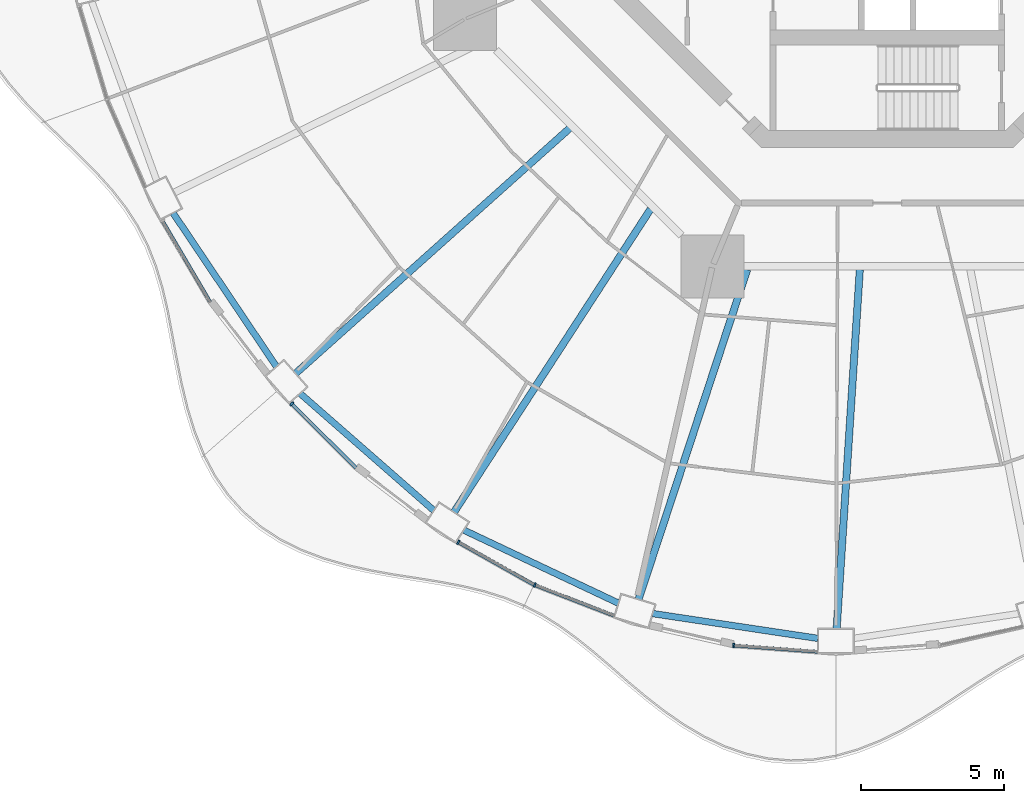
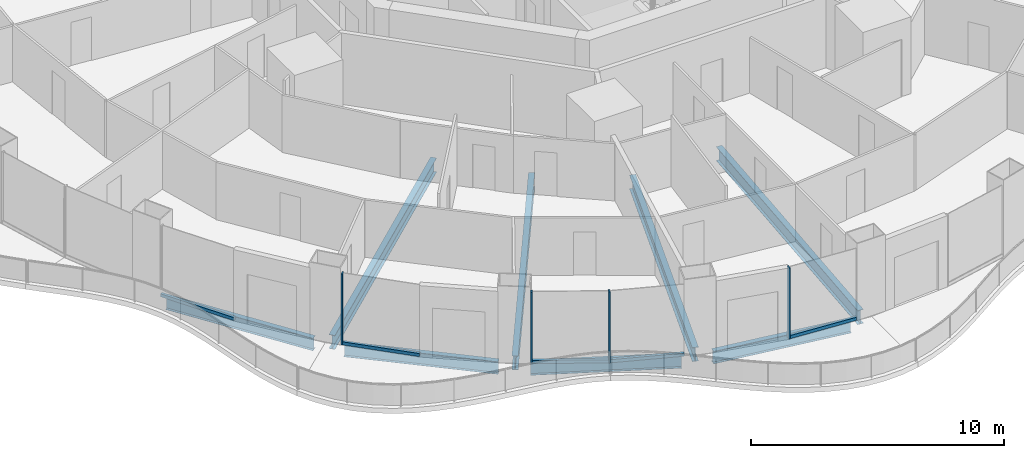
# One storey, part 2 of 22: 9 members, 8 beams, 5 elements without a shape of their own.
"""IFC4 building model written with IfcOpenShell, lengths in metres."""

from ifc_helpers import new_model, si_unit, direction, frame, origin, origin_2d, place, context, subcontext, project, spatial, rectangle, i_section, extrude, material, layer, layer_set, material_profile, profile_set, type_object, element, aggregate, save


model = new_model("IFC4")

# Units and contexts
model_context = context("Model", 3, precision=1e-05, world=origin(), true_north=direction((0.0, 1.0)))
body_context = subcontext(model_context, "Body", "Model", "MODEL_VIEW")
ifc_project = project(units=[si_unit("LENGTHUNIT", "METRE"), si_unit("AREAUNIT", "SQUARE_METRE"), si_unit("VOLUMEUNIT", "CUBIC_METRE"), si_unit("PLANEANGLEUNIT", "RADIAN"), si_unit("MASSUNIT", "GRAM", prefix="KILO")], contexts=[model_context])

# Site, building, storey
site_placement = place(None, origin())
site = spatial("IfcSite", under=ifc_project, at=site_placement, CompositionType="ELEMENT")
building_placement = place(site_placement, origin())
building = spatial("IfcBuilding", under=site, at=building_placement, Name="Nagisa Residences", CompositionType="ELEMENT")
storey_placement = place(building_placement, frame((0.0, 0.0, 77.0)))
storey = spatial("IfcBuildingStorey", under=building, at=storey_placement, Name="L18", CompositionType="ELEMENT", Elevation=77.0)

# Curtain wall, member
ifc_material_1 = material(Name="Concrete-coloured aluminium curtain wall system", Category="concrete")
ifc_layer = layer(ifc_material_1, 0.159912109375)
ifc_layer_set = layer_set([ifc_layer], Name="CW1 CURTAIN WALL")
curtain_wall_type = type_object("IfcCurtainWallType", Name="CW1 CURTAIN WALL", PredefinedType="NOTDEFINED", material=ifc_layer_set)
curtain_wall_1_placement = place(storey_placement, origin())
curtain_wall_1 = element("IfcCurtainWall", 1, at=curtain_wall_1_placement, inside=storey, type_object=curtain_wall_type, Name="cw:CW1:L18:30", PredefinedType="NOTDEFINED")
ifc_material_2 = material(Name="Concrete-coloured aluminium", Category="concrete")
ifc_material_profile_1 = material_profile(ifc_material_2, rectangle(XDim=0.159912109375, YDim=0.06005859375, at=origin_2d()), Name="CW1 MULLION 160x60")
ifc_profile_set_1 = profile_set([ifc_material_profile_1], Name="Concrete-coloured aluminium")
member_type_1 = type_object("IfcMemberType", Name="CW1 MULLION 160x60", PredefinedType="MULLION", material=ifc_profile_set_1)
member_1_placement = place(storey_placement, frame((-20.845458984375, -19.590576171875, 0.0), z_axis=(0.0, 0.0, 1.0), x_axis=(0.706376885714, 0.707835924016, 0.0)))
member_1 = element("IfcMember", 2, at=member_1_placement, type_object=member_type_1, Name="CW1 mullion", PredefinedType="MULLION", context=body_context, shape_type="SweptSolid", body=[
    extrude(rectangle(XDim=0.159912109375, YDim=0.06005859375, at=origin_2d()), origin(), (0.0, 0.0, 1.0), 3.43994140625),
])

curtain_wall_2_placement = place(storey_placement, origin())
curtain_wall_2 = element("IfcCurtainWall", 3, at=curtain_wall_2_placement, inside=storey, type_object=curtain_wall_type, Name="cw:CW1:L18:32", PredefinedType="NOTDEFINED")
member_2_placement = place(storey_placement, frame((-15.015380859375, -24.43798828125, 0.0), z_axis=(0.0, 0.0, 1.0), x_axis=(0.489376918501, 0.872072377523, 0.0)))
member_2 = element("IfcMember", 4, at=member_2_placement, type_object=member_type_1, Name="CW1 mullion", PredefinedType="MULLION", context=body_context, shape_type="SweptSolid", body=[
    extrude(rectangle(XDim=0.159912109375, YDim=0.06005859375, at=origin_2d()), origin(), (0.0, 0.0, 1.0), 3.43994140625),
])

curtain_wall_3_placement = place(storey_placement, origin())
curtain_wall_3 = element("IfcCurtainWall", 5, at=curtain_wall_3_placement, inside=storey, type_object=curtain_wall_type, Name="cw:CW1:L18:33", PredefinedType="NOTDEFINED")
member_3_placement = place(storey_placement, frame((-12.341552734375, -25.9345703125, 0.0), z_axis=(0.0, 0.0, 1.0), x_axis=(0.360327770268, 0.932825759707, 0.0)))
member_3 = element("IfcMember", 6, at=member_3_placement, type_object=member_type_1, Name="CW1 mullion", PredefinedType="MULLION", context=body_context, shape_type="SweptSolid", body=[
    extrude(rectangle(XDim=0.159912109375, YDim=0.06005859375, at=origin_2d()), origin(), (0.0, 0.0, 1.0), 3.43994140625),
])

curtain_wall_4_placement = place(storey_placement, origin())
curtain_wall_4 = element("IfcCurtainWall", 7, at=curtain_wall_4_placement, inside=storey, type_object=curtain_wall_type, Name="cw:CW1:L18:35", PredefinedType="NOTDEFINED")
member_4_placement = place(storey_placement, frame((-5.379150390625, -28.050048828125, 0.0), z_axis=(0.0, 0.0, 1.0), x_axis=(0.074377355493, 0.997230168512, 0.0)))
member_4 = element("IfcMember", 8, at=member_4_placement, type_object=member_type_1, Name="CW1 mullion", PredefinedType="MULLION", context=body_context, shape_type="SweptSolid", body=[
    extrude(rectangle(XDim=0.159912109375, YDim=0.06005859375, at=origin_2d()), origin(), (0.0, 0.0, 1.0), 3.43994140625),
])

curtain_wall_5_placement = place(storey_placement, origin())
curtain_wall_5 = element("IfcCurtainWall", 9, at=curtain_wall_5_placement, inside=storey, type_object=curtain_wall_type, Name="cw:CW1:L18:28", PredefinedType="NOTDEFINED")
ifc_material_3 = material(Name="Concrete-coloured aluminium", Category="concrete")
ifc_material_profile_2 = material_profile(ifc_material_3, rectangle(XDim=0.1201171875, YDim=0.14990234375, at=origin_2d()), Name="CW1 TRANSOM 120x150")
ifc_profile_set_2 = profile_set([ifc_material_profile_2], Name="Concrete-coloured aluminium")
member_type_2 = type_object("IfcMemberType", Name="CW1 TRANSOM 120x150", PredefinedType="USERDEFINED", material=ifc_profile_set_2)
member_5_placement = place(storey_placement, frame((-25.386474609375, -13.159912109375, 0.074951171875), z_axis=(0.506384588027, -0.862307746114, 0.0), x_axis=(0.862307746114, 0.506384588027, 0.0)))
member_5 = element("IfcMember", 10, at=member_5_placement, type_object=member_type_2, Name="CW1 transom", ObjectType="TRANSOM", PredefinedType="USERDEFINED", context=body_context, shape_type="SweptSolid", body=[
    extrude(rectangle(XDim=0.1201171875, YDim=0.14990234375, at=origin_2d()), origin(), (0.0, 0.0, 1.0), 3.32470703125),
])
aggregate(curtain_wall_5, [member_5])

# Member
member_6_placement = place(storey_placement, frame((-20.86669921875, -19.5693359375, 0.074951171875), z_axis=(0.707869817944, -0.706342920149, 0.0), x_axis=(0.706342920149, 0.707869817944, 0.0)))
member_6 = element("IfcMember", 11, at=member_6_placement, type_object=member_type_2, Name="CW1 transom", ObjectType="TRANSOM", PredefinedType="USERDEFINED", context=body_context, shape_type="SweptSolid", body=[
    extrude(rectangle(XDim=0.1201171875, YDim=0.14990234375, at=origin_2d()), origin(), (0.0, 0.0, 1.0), 3.19775390625),
])

aggregate(curtain_wall_1, [member_1, member_6])

member_7_placement = place(storey_placement, frame((-15.04150390625, -24.42333984375, 0.074951171875), z_axis=(0.872037280335, -0.489439456631, 0.0), x_axis=(0.489439456631, 0.872037280335, 0.0)))
member_7 = element("IfcMember", 12, at=member_7_placement, type_object=member_type_2, Name="CW1 transom", ObjectType="TRANSOM", PredefinedType="USERDEFINED", context=body_context, shape_type="SweptSolid", body=[
    extrude(rectangle(XDim=0.1201171875, YDim=0.14990234375, at=origin_2d()), origin(), (0.0, 0.0, 1.0), 3.07568359375),
])

aggregate(curtain_wall_2, [member_2, member_7])

member_8_placement = place(storey_placement, frame((-12.36962890625, -25.923828125, 0.074951171875), z_axis=(0.932837560624, -0.360297218263, 0.0), x_axis=(0.360297218263, 0.932837560624, 0.0)))
member_8 = element("IfcMember", 13, at=member_8_placement, type_object=member_type_2, Name="CW1 transom", ObjectType="TRANSOM", PredefinedType="USERDEFINED", context=body_context, shape_type="SweptSolid", body=[
    extrude(rectangle(XDim=0.1201171875, YDim=0.14990234375, at=origin_2d()), origin(), (0.0, 0.0, 1.0), 3.027587890625),
])

aggregate(curtain_wall_3, [member_3, member_8])

member_9_placement = place(storey_placement, frame((-5.408935546875, -28.0478515625, 0.074951171875), z_axis=(0.997226174467, -0.074430887117, 0.0), x_axis=(0.074430887117, 0.997226174467, 0.0)))
member_9 = element("IfcMember", 14, at=member_9_placement, type_object=member_type_2, Name="CW1 transom", ObjectType="TRANSOM", PredefinedType="USERDEFINED", context=body_context, shape_type="SweptSolid", body=[
    extrude(rectangle(XDim=0.1201171875, YDim=0.14990234375, at=origin_2d()), origin(), (0.0, 0.0, 1.0), 2.97509765625),
])

aggregate(curtain_wall_4, [member_4, member_9])

# Beams
ifc_material_4 = material(Name="Steel ASTM A572 Gr 50", Category="steel")
ifc_material_profile_3 = material_profile(ifc_material_4, i_section(OverallWidth=0.22802734375, OverallDepth=0.60302734375, WebThickness=0.010498046875, FlangeThickness=0.014892578125, at=origin_2d()), Name="W610x101")
ifc_profile_set_3 = profile_set([ifc_material_profile_3], Name="Steel ASTM A572 Gr 50")
beam_type_1 = type_object("IfcBeamType", Name="Perimeter ring beam W610x101", PredefinedType="BEAM", material=ifc_profile_set_3)
beam_1_placement = place(storey_placement, frame((-24.9970703125, -12.91650390625, -0.5615234375), z_axis=(0.558203607151, -0.829704003222, 0.0), x_axis=(0.829704003222, 0.558203607151, 0.0)))
element("IfcBeam", 15, at=beam_1_placement, inside=storey, type_object=beam_type_1, Name="beam:L18:pb15", PredefinedType="BEAM", context=body_context, shape_type="SweptSolid", body=[
    extrude(i_section(OverallWidth=0.22802734375, OverallDepth=0.60302734375, WebThickness=0.010498046875, FlangeThickness=0.014892578125, at=origin_2d()), origin(), (0.0, 0.0, 1.0), 6.4716796875),
])
beam_2_placement = place(storey_placement, frame((-20.551513671875, -19.231689453125, -0.5615234375), z_axis=(0.752542612886, -0.658543556488, 0.0), x_axis=(0.658543556488, 0.752542612886, 0.0)))
element("IfcBeam", 16, at=beam_2_placement, inside=storey, type_object=beam_type_1, Name="beam:L18:pb16", PredefinedType="BEAM", context=body_context, shape_type="SweptSolid", body=[
    extrude(i_section(OverallWidth=0.22802734375, OverallDepth=0.60302734375, WebThickness=0.010498046875, FlangeThickness=0.014892578125, at=origin_2d()), origin(), (0.0, 0.0, 1.0), 6.212646484375),
])
beam_3_placement = place(storey_placement, frame((-14.822021484375, -24.013916015625, -0.5615234375), z_axis=(0.90418952838, -0.427131474804, 0.0), x_axis=(0.427131474804, 0.90418952838, 0.0)))
element("IfcBeam", 17, at=beam_3_placement, inside=storey, type_object=beam_type_1, Name="beam:L18:pb17", PredefinedType="BEAM", context=body_context, shape_type="SweptSolid", body=[
    extrude(i_section(OverallWidth=0.22802734375, OverallDepth=0.60302734375, WebThickness=0.010498046875, FlangeThickness=0.014892578125, at=origin_2d()), origin(), (0.0, 0.0, 1.0), 5.98046875),
])
beam_4_placement = place(storey_placement, frame((-8.20849609375, -26.93505859375, -0.5615234375), z_axis=(0.988913048607, -0.148495731568, 0.0), x_axis=(0.148495731568, 0.988913048607, 0.0)))
element("IfcBeam", 18, at=beam_4_placement, inside=storey, type_object=beam_type_1, Name="beam:L18:pb18", PredefinedType="BEAM", context=body_context, shape_type="SweptSolid", body=[
    extrude(i_section(OverallWidth=0.22802734375, OverallDepth=0.60302734375, WebThickness=0.010498046875, FlangeThickness=0.014892578125, at=origin_2d()), origin(), (0.0, 0.0, 1.0), 5.843017578125),
])
ifc_material_5 = material(Name="Steel ASTM A572 Gr 50", Category="steel")
ifc_material_profile_4 = material_profile(ifc_material_5, i_section(OverallWidth=0.2529296875, OverallDepth=0.677978515625, WebThickness=0.01171875, FlangeThickness=0.016357421875, at=origin_2d()), Name="W690x125")
ifc_profile_set_4 = profile_set([ifc_material_profile_4], Name="Steel ASTM A572 Gr 50")
beam_type_2 = type_object("IfcBeamType", Name="Radial beam W690x125", PredefinedType="BEAM", material=ifc_profile_set_4)
beam_5_placement = place(storey_placement, frame((-20.709228515625, -18.526611328125, -0.59912109375), z_axis=(0.745284973843, 0.666746059428, 0.0), x_axis=(-0.666746059428, 0.745284973843, 0.0)))
element("IfcBeam", 19, at=beam_5_placement, inside=storey, type_object=beam_type_2, Name="beam:L18:rb16", PredefinedType="BEAM", context=body_context, shape_type="SweptSolid", body=[
    extrude(i_section(OverallWidth=0.2529296875, OverallDepth=0.677978515625, WebThickness=0.01171875, FlangeThickness=0.016357421875, at=origin_2d()), origin(), (0.0, 0.0, 1.0), 12.869384765625),
])
beam_6_placement = place(storey_placement, frame((-15.16357421875, -23.38134765625, -0.59912109375), z_axis=(0.544121648903, 0.839006335611, 0.0), x_axis=(-0.839006335611, 0.544121648903, 0.0)))
element("IfcBeam", 20, at=beam_6_placement, inside=storey, type_object=beam_type_2, Name="beam:L18:rb17", PredefinedType="BEAM", context=body_context, shape_type="SweptSolid", body=[
    extrude(i_section(OverallWidth=0.2529296875, OverallDepth=0.677978515625, WebThickness=0.01171875, FlangeThickness=0.016357421875, at=origin_2d()), origin(), (0.0, 0.0, 1.0), 12.63818359375),
])
beam_7_placement = place(storey_placement, frame((-8.7041015625, -26.431884765625, -0.59912109375), z_axis=(0.312788454633, 0.94982281645, 0.0), x_axis=(-0.94982281645, 0.312788454633, 0.0)))
element("IfcBeam", 21, at=beam_7_placement, inside=storey, type_object=beam_type_2, Name="beam:L18:rb18", PredefinedType="BEAM", context=body_context, shape_type="SweptSolid", body=[
    extrude(i_section(OverallWidth=0.2529296875, OverallDepth=0.677978515625, WebThickness=0.01171875, FlangeThickness=0.016357421875, at=origin_2d()), origin(), (0.0, 0.0, 1.0), 12.145751953125),
])
beam_8_placement = place(storey_placement, frame((-1.772216796875, -27.46728515625, -0.59912109375), z_axis=(0.064392860553, 0.997924626167, 0.0), x_axis=(-0.997924626167, 0.064392860553, 0.0)))
element("IfcBeam", 22, at=beam_8_placement, inside=storey, type_object=beam_type_2, Name="beam:L18:rb19", PredefinedType="BEAM", context=body_context, shape_type="SweptSolid", body=[
    extrude(i_section(OverallWidth=0.2529296875, OverallDepth=0.677978515625, WebThickness=0.01171875, FlangeThickness=0.016357421875, at=origin_2d()), origin(), (0.0, 0.0, 1.0), 12.598876953125),
])

save(model, "model.ifc")
